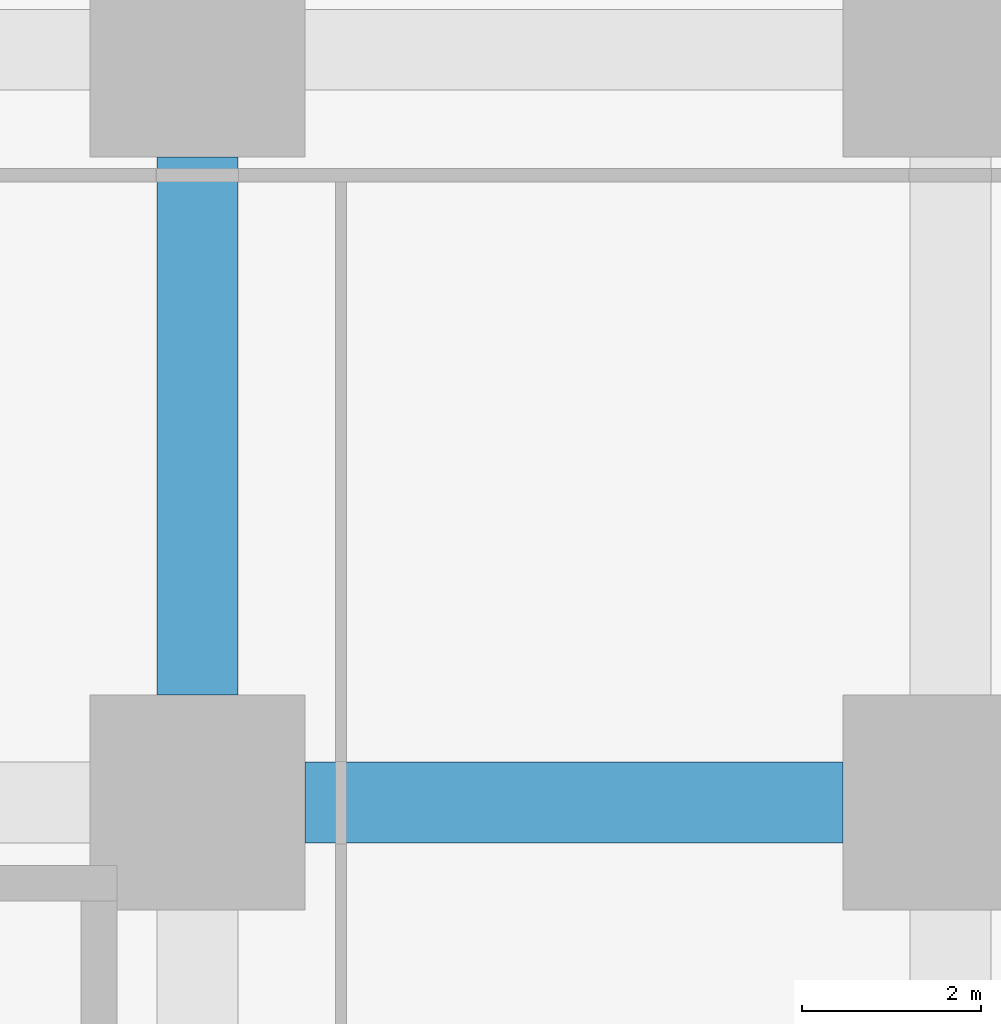
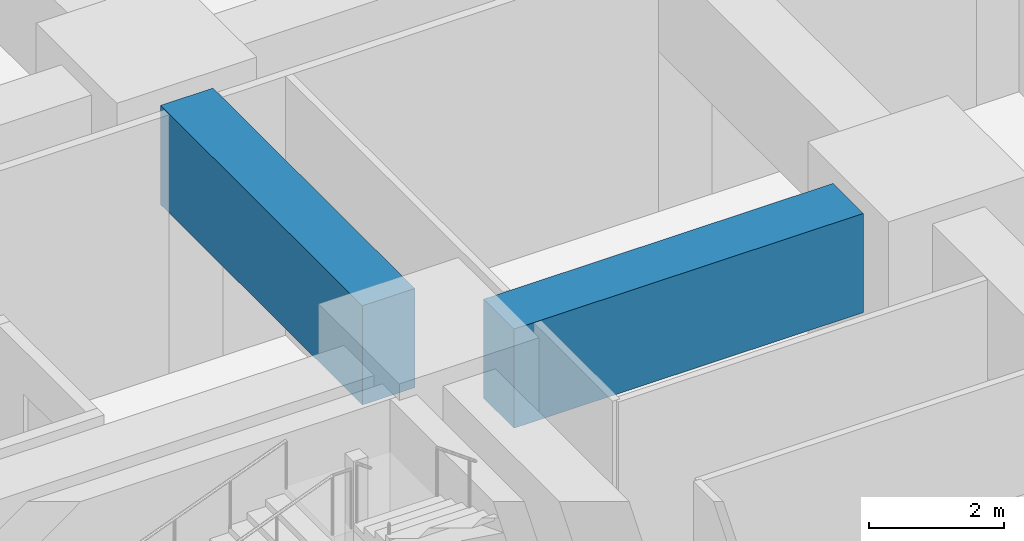
# One storey, part 18 of 49: 2 beams.
"""IFC4 building model written with IfcOpenShell, lengths in metres."""

from ifc_helpers import new_model, si_unit, direction, frame, origin, origin_2d, place, context, subcontext, project, spatial, rectangle, extrude, material, material_profile, profile_set, type_object, element, save


model = new_model("IFC4")

# Units and contexts
model_context = context("Model", 3, precision=1e-05, world=origin(), true_north=direction((0.0, 1.0)))
body_context = subcontext(model_context, "Body", "Model", "MODEL_VIEW")
ifc_project = project(units=[si_unit("LENGTHUNIT", "METRE"), si_unit("AREAUNIT", "SQUARE_METRE"), si_unit("VOLUMEUNIT", "CUBIC_METRE"), si_unit("PLANEANGLEUNIT", "RADIAN"), si_unit("MASSUNIT", "GRAM", prefix="KILO")], contexts=[model_context])

# Site, building, storey
site_placement = place(None, origin())
site = spatial("IfcSite", under=ifc_project, at=site_placement, CompositionType="ELEMENT")
building_placement = place(site_placement, origin())
building = spatial("IfcBuilding", under=site, at=building_placement, Name="Rekha Terrace Tower", CompositionType="ELEMENT")
storey_placement = place(building_placement, frame((0.0, 0.0, 5.39990234375)))
storey = spatial("IfcBuildingStorey", under=building, at=storey_placement, Name="L01", CompositionType="ELEMENT", Elevation=5.39990234375)

# Beams
ifc_material = material(Name="Concrete M60", Category="concrete")
ifc_material_profile = material_profile(ifc_material, rectangle(XDim=0.89990234375, YDim=1.800048828125, at=origin_2d()), Name="RC 900x1800")
ifc_profile_set = profile_set([ifc_material_profile], Name="Concrete M60")
beam_type = type_object("IfcBeamType", Name="G1 900x1800 podium floor beam", PredefinedType="BEAM", material=ifc_profile_set)
for number, where, z_axis, x_axis, name in (
    (1, (9.60009765625, 33.60009765625, 3.800048828125), (1.0, 0.0, 0.0), (0.0, 1.0, 0.0), "Beam G1 2E-3E under L02"),
    (2, (8.39990234375, 34.800048828125, 3.800048828125), (0.0, 1.0, 0.0), (-1.0, 0.0, 0.0), "Beam G1 2E-2F under L02"),
):
    element("IfcBeam", number, at=place(storey_placement, frame(where, z_axis=z_axis, x_axis=x_axis)), inside=storey, type_object=beam_type, Name=name, PredefinedType="BEAM", context=body_context, shape_type="SweptSolid", body=[
        extrude(rectangle(XDim=0.89990234375, YDim=1.800048828125, at=origin_2d()), origin(), (0.0, 0.0, 1.0), 6.0),
    ])

save(model, "model.ifc")
